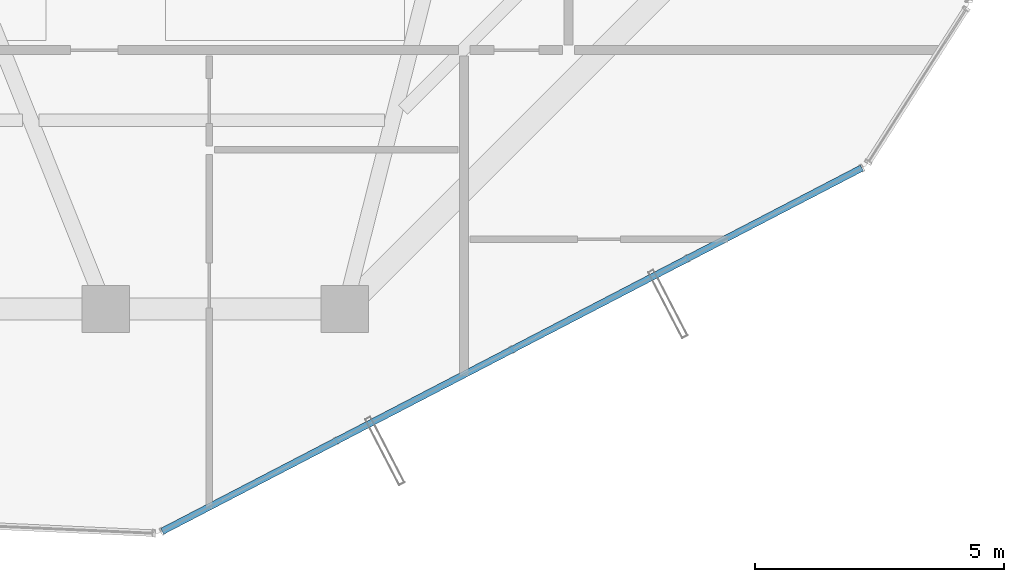
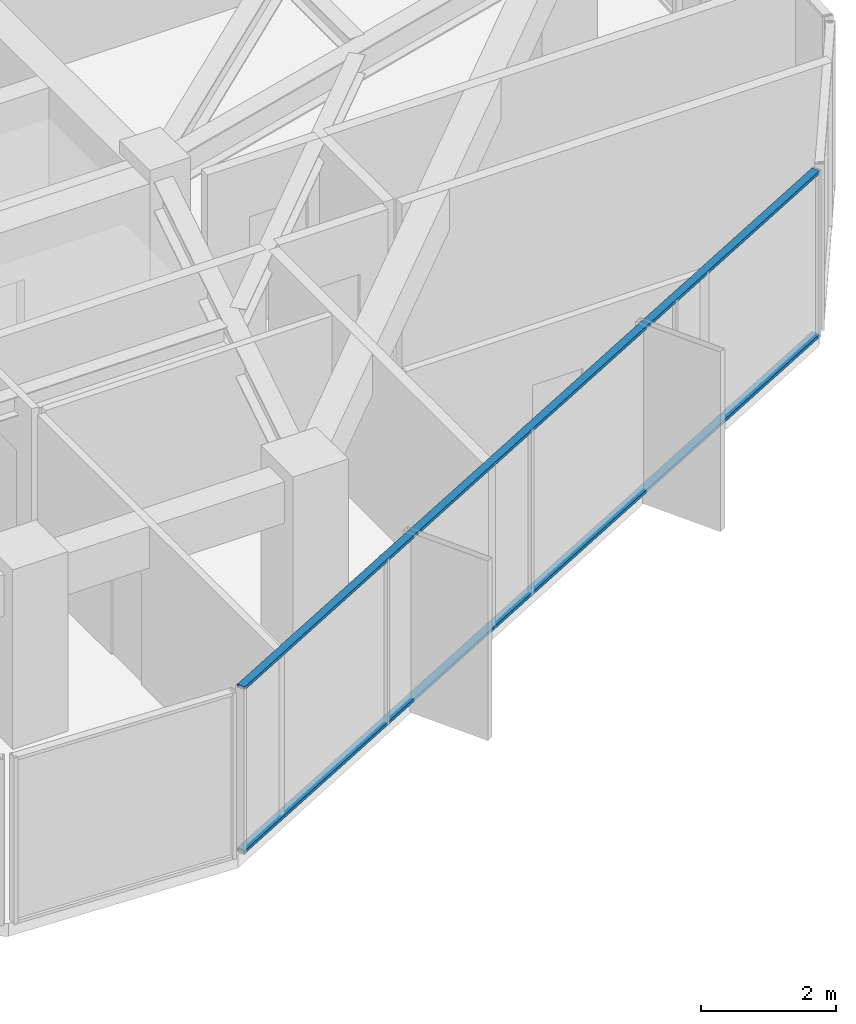
# One storey, part 8 of 29: 2 members, 1 element without a shape of its own.
"""IFC4 building model written with IfcOpenShell, lengths in metres."""

import ifcopenshell
import ifcopenshell.guid

model = None  # the IFC model being written
_history = None  # IfcOwnerHistory: only IFC2X3 demands one
_inside = {}  # id of a spatial element -> (the spatial element, [elements in it])
_under = {}  # id of a project, library or spatial element -> (it, [spatial elements below it])
_declared = {}  # id of a project -> (the project, [libraries it declares])
_typed = {}  # id of a type object -> (the type object, [elements of that type])
_made_of = {}  # id of a material, layer set ... -> (it, [elements and type objects made of it])


def new_model(schema):
    """Start an empty IFC model of exactly this schema.

    Asked for "IFC4X3", IfcOpenShell would pick the latest addendum, in which some entities
    have other attributes; the version numbers below select the first issue.
    IFC2X3 requires an IfcOwnerHistory on every rooted entity: one is made here for all.
    """
    global model, _history
    if schema == "IFC4X3":
        model = ifcopenshell.file(schema_version=(4, 3, 0, 0))
    else:
        model = ifcopenshell.file(schema=schema)
    _inside.clear()
    _under.clear()
    _declared.clear()
    _typed.clear()
    _made_of.clear()
    _history = None
    if model.schema == "IFC2X3":
        org = make("IfcOrganization", Name="unknown")
        user = make(
            "IfcPersonAndOrganization",
            ThePerson=make("IfcPerson", FamilyName="unknown"),
            TheOrganization=org,
        )
        app = make(
            "IfcApplication",
            ApplicationDeveloper=org,
            Version="unknown",
            ApplicationFullName="unknown",
            ApplicationIdentifier="unknown",
        )
        _history = make(
            "IfcOwnerHistory",
            OwningUser=user,
            OwningApplication=app,
            ChangeAction="ADDED",
            CreationDate=0,
        )
    return model


def make(cls, **values):
    """One entity of the class cls with the attributes given. An attribute that is None is left unset."""
    return model.create_entity(
        cls, **{name: value for name, value in values.items() if value is not None}
    )


def rooted(cls, **values):
    """An entity with a GlobalId (a new one), such as an element, a storey or a relation."""
    return make(cls, GlobalId=ifcopenshell.guid.new(), OwnerHistory=_history, **values)


def si_unit(unit_type, name, prefix=None):
    """IfcSIUnit, for example si_unit("LENGTHUNIT", "METRE", prefix="MILLI")."""
    return make("IfcSIUnit", UnitType=unit_type, Prefix=prefix, Name=name)


def assignment(units):
    """IfcUnitAssignment: the units of a project."""
    return None if units is None else make("IfcUnitAssignment", Units=units)


def point(xyz):
    """IfcCartesianPoint."""
    return None if xyz is None else make("IfcCartesianPoint", Coordinates=xyz)


def direction(xyz):
    """IfcDirection."""
    return None if xyz is None else make("IfcDirection", DirectionRatios=xyz)


def frame(location, z_axis=None, x_axis=None):
    """IfcAxis2Placement3D, a coordinate frame: its origin and axes. An axis left out is left unset."""
    return make(
        "IfcAxis2Placement3D",
        Location=point(location),
        Axis=direction(z_axis),
        RefDirection=direction(x_axis),
    )


def frame_2d(location, x_axis=None):
    """IfcAxis2Placement2D, a coordinate frame in the plane: its origin and x axis."""
    return make(
        "IfcAxis2Placement2D", Location=point(location), RefDirection=direction(x_axis)
    )


def origin():
    """The frame at (0, 0, 0) with its axes left unset."""
    return frame((0.0, 0.0, 0.0))


def origin_2d():
    """The frame at (0, 0) in the plane with its x axis left unset."""
    return frame_2d((0.0, 0.0))


def place(relative_to, where):
    """IfcLocalPlacement: puts the frame where relative to a parent placement (None: the world)."""
    return make(
        "IfcLocalPlacement", PlacementRelTo=relative_to, RelativePlacement=where
    )


def context(
    kind, dimensions, precision=None, world=None, true_north=None, identifier=None
):
    """IfcGeometricRepresentationContext, for example the 3D "Model" context."""
    return make(
        "IfcGeometricRepresentationContext",
        ContextIdentifier=identifier,
        ContextType=kind,
        CoordinateSpaceDimension=dimensions,
        Precision=precision,
        WorldCoordinateSystem=world,
        TrueNorth=true_north,
    )


def subcontext(parent, identifier, kind, view, scale=None):
    """IfcGeometricRepresentationSubContext, for example "Body" below "Model"."""
    return make(
        "IfcGeometricRepresentationSubContext",
        ContextIdentifier=identifier,
        ContextType=kind,
        ParentContext=parent,
        TargetScale=scale,
        TargetView=view,
    )


def project(units=None, contexts=None):
    """IfcProject with its units and contexts."""
    return rooted(
        "IfcProject",
        Name="project",
        RepresentationContexts=contexts,
        UnitsInContext=assignment(units),
    )


def spatial(cls, under=None, at=None, **own):
    """A site, building, storey or space (cls), placed at a placement, below another one or the project."""
    s = rooted(cls, ObjectPlacement=at, **own)
    if under is not None:
        _under.setdefault(under.id(), (under, []))[1].append(s)
    return s


def profile(cls, at=None, kind="AREA", **sizes):
    """A parametric profile (cls). Its sizes go by their IFC names, for example OverallWidth=200.0."""
    return make(cls, ProfileType=kind, Position=at, **sizes)


def hollow_rectangle(**sizes):
    """IfcRectangleHollowProfileDef."""
    return profile("IfcRectangleHollowProfileDef", **sizes)


def extrude(swept, where, along, depth):
    """IfcExtrudedAreaSolid: the profile swept, set in the frame where, extruded along a direction by depth."""
    return make(
        "IfcExtrudedAreaSolid",
        SweptArea=swept,
        Position=where,
        ExtrudedDirection=direction(along),
        Depth=depth,
    )


def shape(context_of_items, identifier, shape_type, items):
    """IfcShapeRepresentation: the items that make up one representation, for example the "Body"."""
    return make(
        "IfcShapeRepresentation",
        ContextOfItems=context_of_items,
        RepresentationIdentifier=identifier,
        RepresentationType=shape_type,
        Items=items,
    )


def source(mapping_origin, context_of_items, identifier, shape_type, items):
    """IfcRepresentationMap: a shape defined once, which mapped items show again and again."""
    return make(
        "IfcRepresentationMap",
        MappingOrigin=mapping_origin,
        MappedRepresentation=shape(context_of_items, identifier, shape_type, items),
    )


def transform(
    local_origin,
    x_axis=None,
    y_axis=None,
    z_axis=None,
    scale=None,
    scale2=None,
    scale3=None,
    uniform=True,
):
    """IfcCartesianTransformationOperator3D, or its non-uniform kind. x_axis, y_axis, z_axis: its Axis1, 2, 3."""
    if uniform:
        return make(
            "IfcCartesianTransformationOperator3D",
            Axis1=direction(x_axis),
            Axis2=direction(y_axis),
            LocalOrigin=point(local_origin),
            Scale=scale,
            Axis3=direction(z_axis),
        )
    return make(
        "IfcCartesianTransformationOperator3DnonUniform",
        Axis1=direction(x_axis),
        Axis2=direction(y_axis),
        LocalOrigin=point(local_origin),
        Scale=scale,
        Axis3=direction(z_axis),
        Scale2=scale2,
        Scale3=scale3,
    )


def mapped(mapping_source, mapping_target):
    """IfcMappedItem: shows the shape of a source again, moved by a transform."""
    return make(
        "IfcMappedItem", MappingSource=mapping_source, MappingTarget=mapping_target
    )


def material(Name=None, Category=None):
    """IfcMaterial."""
    return make("IfcMaterial", Name=Name, Category=Category)


def layer(
    of_material, thickness, ventilated=None, Name=None, Category=None, Priority=None
):
    """IfcMaterialLayer: one layer of a wall or slab, of a material (None: an air gap)."""
    return make(
        "IfcMaterialLayer",
        Material=of_material,
        LayerThickness=thickness,
        IsVentilated=ventilated,
        Name=Name,
        Category=Category,
        Priority=Priority,
    )


def layer_set(layers, Name=None):
    """IfcMaterialLayerSet."""
    return make("IfcMaterialLayerSet", MaterialLayers=layers, LayerSetName=Name)


def material_profile(
    of_material, cross_section, Name=None, Category=None, Priority=None
):
    """IfcMaterialProfile: a cross section and its material."""
    return make(
        "IfcMaterialProfile",
        Name=Name,
        Material=of_material,
        Profile=cross_section,
        Priority=Priority,
        Category=Category,
    )


def profile_set(profiles, Name=None, composite=None):
    """IfcMaterialProfileSet."""
    return make(
        "IfcMaterialProfileSet",
        Name=Name,
        MaterialProfiles=profiles,
        CompositeProfile=composite,
    )


def made_of(thing, what):
    """Note that an element or type object is made of a material, layer set ...; save() writes the relation."""
    if what is not None:
        _made_of.setdefault(what.id(), (what, []))[1].append(thing)
    return thing


def type_object(cls, material=None, **own):
    """A type object (cls), such as IfcWallType, which elements share."""
    return made_of(rooted(cls, **own), material)


def element(
    cls,
    number,
    at=None,
    inside=None,
    cuts=None,
    type_object=None,
    material=None,
    context=None,
    identifier="Body",
    shape_type=None,
    held_by="IfcProductDefinitionShape",
    body=None,
    shapes=None,
    **own,
):
    """One element of the class cls, such as IfcWall. Its Tag is "e" and its number.

    at: its placement. inside: the storey or other place that contains it. cuts: it is an
    opening in that element (IfcRelVoidsElement). A single representation is given by context,
    identifier, shape_type and body (its items); several are given by shapes. held_by: the class
    of the entity that holds the representations. save() writes the other relations.
    """
    e = rooted(cls, Tag="e%d" % number, ObjectPlacement=at, **own)
    if body is not None:
        shapes = [shape(context, identifier, shape_type, body)]
    if shapes is not None:
        e.Representation = make(held_by, Representations=shapes)
    if inside is not None:
        _inside.setdefault(inside.id(), (inside, []))[1].append(e)
    if cuts is not None:
        rooted(
            "IfcRelVoidsElement", RelatingBuildingElement=cuts, RelatedOpeningElement=e
        )
    if type_object is not None:
        _typed.setdefault(type_object.id(), (type_object, []))[1].append(e)
    return made_of(e, material)


def aggregate(whole, parts):
    """IfcRelAggregates: a whole, such as a stair, and the parts it consists of."""
    return rooted("IfcRelAggregates", RelatingObject=whole, RelatedObjects=parts)


def save(model, path):
    """Write the relations noted so far, then the file.

    IfcRelAggregates (storeys below a building ...), IfcRelContainedInSpatialStructure (elements
    in a storey), IfcRelDefinesByType, IfcRelAssociatesMaterial and IfcRelDeclares: one each for
    every whole, place, type object, material and project.
    """
    for whole, parts in _under.values():
        aggregate(whole, parts)
    for where, things in _inside.values():
        rooted(
            "IfcRelContainedInSpatialStructure",
            RelatedElements=things,
            RelatingStructure=where,
        )
    for kind, things in _typed.values():
        rooted("IfcRelDefinesByType", RelatedObjects=things, RelatingType=kind)
    for what, things in _made_of.values():
        rooted("IfcRelAssociatesMaterial", RelatedObjects=things, RelatingMaterial=what)
    for by, libraries in _declared.values():
        rooted("IfcRelDeclares", RelatingContext=by, RelatedDefinitions=libraries)
    model.write(path)


model = new_model("IFC4")

# Units and contexts
model_context = context("Model", 3, precision=1e-05, world=origin(), true_north=direction((0.0, 1.0)))
body_context = subcontext(model_context, "Body", "Model", "MODEL_VIEW")
ifc_project = project(units=[si_unit("LENGTHUNIT", "METRE"), si_unit("AREAUNIT", "SQUARE_METRE"), si_unit("VOLUMEUNIT", "CUBIC_METRE"), si_unit("PLANEANGLEUNIT", "RADIAN"), si_unit("MASSUNIT", "GRAM", prefix="KILO")], contexts=[model_context])

# Site, building, storey
site_placement = place(None, origin())
site = spatial("IfcSite", under=ifc_project, at=site_placement, CompositionType="ELEMENT")
building_placement = place(site_placement, origin())
building = spatial("IfcBuilding", under=site, at=building_placement, Name="Veraguas Prism Commons", CompositionType="ELEMENT")
storey_placement = place(building_placement, frame((0.0, 0.0, 215.64990234375)))
storey = spatial("IfcBuildingStorey", under=building, at=storey_placement, Name="L61", CompositionType="ELEMENT", Elevation=215.64990234375)

# Curtain wall, members
ifc_material = material(Name="Anodised aluminium EN AW-6063 T6", Category="aluminium")
ifc_layer = layer(ifc_material, 0.14990234375, Name="Unitised Flush Curtain Wall Zone 3", Category="aluminium")
ifc_layer_set = layer_set([ifc_layer], Name="Anodised aluminium EN AW-6063 T6")
curtain_wall_type = type_object("IfcCurtainWallType", Name="Unitised Flush Curtain Wall Zone 3", PredefinedType="NOTDEFINED", material=ifc_layer_set)
curtain_wall_placement = place(storey_placement, origin())
curtain_wall = element("IfcCurtainWall", 1, at=curtain_wall_placement, inside=storey, type_object=curtain_wall_type, Name="Tower Facade Curtain Wall L61-F5", PredefinedType="NOTDEFINED")
ifc_material_profile = material_profile(ifc_material, hollow_rectangle(XDim=0.054931640625, YDim=0.135009765625, WallThickness=0.0029296875, at=origin_2d()), Name="AL55X135X3")
ifc_profile_set = profile_set([ifc_material_profile], Name="Anodised aluminium EN AW-6063 T6")
member_type = type_object("IfcMemberType", Name="Curtain Wall Transom Standard AL 55x135x3", PredefinedType="USERDEFINED", material=ifc_profile_set)
shared_shape = source(origin(), body_context, "Body", "SweptSolid", [
    extrude(hollow_rectangle(XDim=0.054931640625, YDim=0.135009765625, WallThickness=0.0029296875, at=origin_2d()), origin(), (0.0, 0.0, 1.0), 15.842529296875),
])
member_1_placement = place(storey_placement, frame((25.131103515625, 4.632080078125, 0.027587890625), z_axis=(0.887492925544, 0.460821339686, 0.0), x_axis=(0.0, 0.0, 1.0)))
member_1 = element("IfcMember", 2, at=member_1_placement, type_object=member_type, Name="CW-Z3 Transom 1", ObjectType="TRANSOM", PredefinedType="USERDEFINED", context=body_context, shape_type="MappedRepresentation", body=[
    mapped(shared_shape, transform((0.0, 0.0, 0.0), scale=1.0)),
])
member_2_placement = place(storey_placement, frame((25.131103515625, 4.632080078125, 2.987548828125), z_axis=(0.887492925544, 0.460821339686, 0.0), x_axis=(0.0, 0.0, 1.0)))
member_2 = element("IfcMember", 3, at=member_2_placement, type_object=member_type, Name="CW-Z3 Transom 2", ObjectType="TRANSOM", PredefinedType="USERDEFINED", context=body_context, shape_type="MappedRepresentation", body=[
    mapped(shared_shape, transform((0.0, 0.0, 0.0), scale=1.0)),
])
aggregate(curtain_wall, [member_1, member_2])

save(model, "model.ifc")
